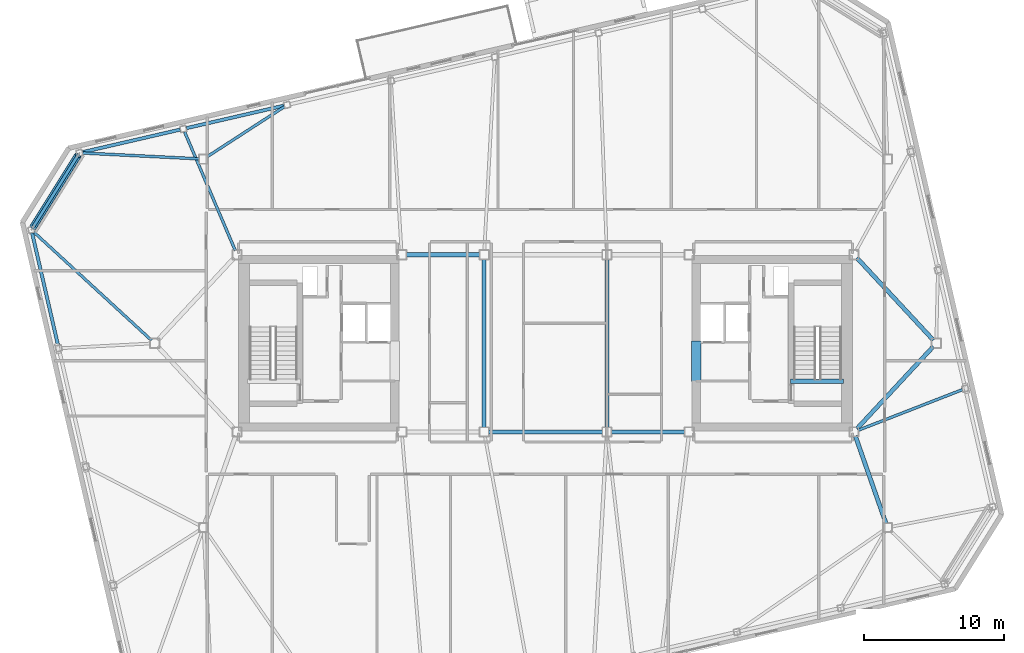
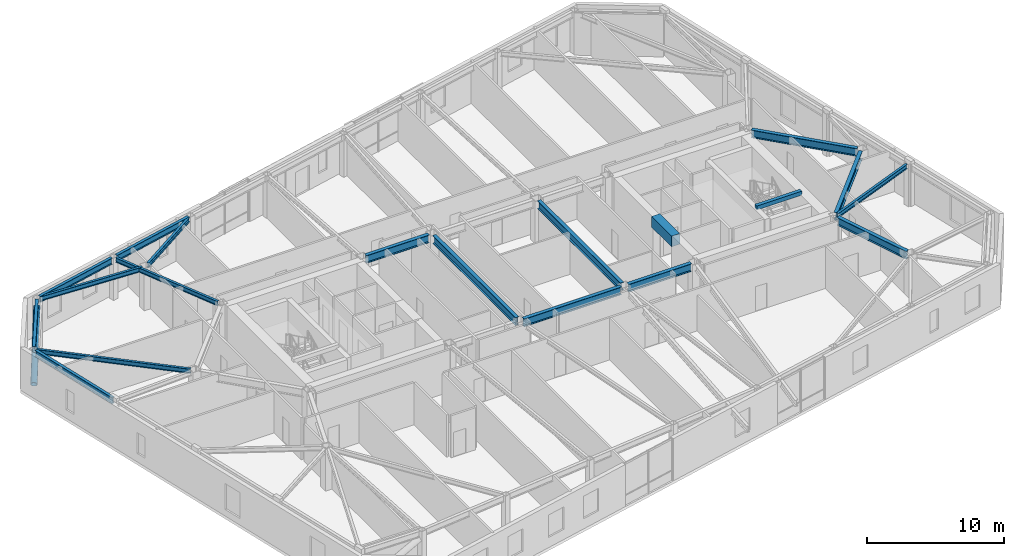
# One storey, part 11 of 24: 19 beams, 1 member.
"""IFC4 building model written with IfcOpenShell, lengths in metres."""

from ifc_helpers import new_model, si_unit, direction, frame, origin, origin_2d, place, context, subcontext, project, spatial, rectangle, hollow_circle, i_section, extrude, material, material_profile, profile_set, type_object, element, save


model = new_model("IFC4")

# Units and contexts
model_context = context("Model", 3, precision=1e-05, world=origin(), true_north=direction((0.0, 1.0)))
body_context = subcontext(model_context, "Body", "Model", "MODEL_VIEW")
ifc_project = project(units=[si_unit("LENGTHUNIT", "METRE"), si_unit("AREAUNIT", "SQUARE_METRE"), si_unit("VOLUMEUNIT", "CUBIC_METRE"), si_unit("PLANEANGLEUNIT", "RADIAN"), si_unit("MASSUNIT", "GRAM", prefix="KILO")], contexts=[model_context])

# Site, building, storey
site_placement = place(None, origin())
site = spatial("IfcSite", under=ifc_project, at=site_placement, CompositionType="ELEMENT")
building_placement = place(site_placement, origin())
building = spatial("IfcBuilding", under=site, at=building_placement, Name="Tavrogorsk Clinical Tower", CompositionType="ELEMENT")
storey_placement = place(building_placement, frame((0.0, 0.0, 321.0)))
storey = spatial("IfcBuildingStorey", under=building, at=storey_placement, Name="L75", CompositionType="ELEMENT", Elevation=321.0)

# Beam
ifc_material_1 = material(Name="Concrete B80", Category="concrete")
ifc_material_profile_1 = material_profile(ifc_material_1, rectangle(XDim=0.699951171875, YDim=0.949951171875, at=origin_2d()), Name="RC-CB-700x950")
ifc_profile_set_1 = profile_set([ifc_material_profile_1], Name="Concrete B80")
beam_type_1 = type_object("IfcBeamType", Name="CouplingBeam_RC700x950", PredefinedType="LINTEL", material=ifc_profile_set_1)
beam_1_placement = place(storey_placement, frame((10.800048828125, -2.75, 3.264892578125), z_axis=(0.0, 1.0, 0.0), x_axis=(-1.0, 0.0, 0.0)))
element("IfcBeam", 1, at=beam_1_placement, inside=storey, type_object=beam_type_1, Name="L75 Core East Coupling Beam", PredefinedType="LINTEL", context=body_context, shape_type="SweptSolid", body=[
    extrude(rectangle(XDim=0.699951171875, YDim=0.949951171875, at=origin_2d()), origin(), (0.0, 0.0, 1.0), 2.89990234375),
])

# Member
ifc_material_2 = material(Name="Structural steel S440", Category="steel")
ifc_material_profile_2 = material_profile(ifc_material_2, hollow_circle(Radius=0.25390625, WallThickness=0.02001953125, at=origin_2d()), Name="CHS-508x20")
ifc_profile_set_2 = profile_set([ifc_material_profile_2], Name="Structural steel S440")
member_type = type_object("IfcMemberType", Name="ExoBrace_CHS508", PredefinedType="BRACE", material=ifc_profile_set_2)
member_placement = place(storey_placement, frame((-36.72265625, 8.30908203125, 0.393310546875), z_axis=(0.485643868835, 0.777221605895, 0.400095748531), x_axis=(-0.848056967697, 0.529905066536, 0.0)))
element("IfcMember", 2, at=member_placement, inside=storey, type_object=member_type, Name="L75 Corner Exoskeleton Brace N8-W1", PredefinedType="BRACE", context=body_context, shape_type="SweptSolid", body=[
    extrude(hollow_circle(Radius=0.25390625, WallThickness=0.02001953125, at=origin_2d()), origin(), (0.0, 0.0, 1.0), 6.63232421875),
])

# Beams
ifc_material_3 = material(Name="Structural steel S355", Category="steel")
ifc_material_profile_3 = material_profile(ifc_material_3, i_section(OverallWidth=0.199951171875, OverallDepth=0.39990234375, WebThickness=0.010498046875, FlangeThickness=0.01611328125, at=origin_2d()), Name="B-400x200x10.5x16")
ifc_profile_set_3 = profile_set([ifc_material_profile_3], Name="Structural steel S355")
beam_type_2 = type_object("IfcBeamType", Name="FloorBeam_B400", PredefinedType="BEAM", material=ifc_profile_set_3)
beam_2_placement = place(storey_placement, frame((-24.23974609375, 13.36865234375, 3.5400390625), z_axis=(0.839287867478, 0.543687295699, 0.0), x_axis=(-0.543687295699, 0.839287867478, 0.0)))
element("IfcBeam", 3, at=beam_2_placement, inside=storey, type_object=beam_type_2, Name="L75 Radial Floor Beam N6", PredefinedType="BEAM", context=body_context, shape_type="SweptSolid", body=[
    extrude(i_section(OverallWidth=0.199951171875, OverallDepth=0.39990234375, WebThickness=0.010498046875, FlangeThickness=0.01611328125, at=origin_2d()), origin(), (0.0, 0.0, 1.0), 6.592529296875),
])
beam_3_placement = place(storey_placement, frame((-22.2216796875, 6.635009765625, 3.5400390625), z_axis=(-0.392852744382, 0.919601392578, 0.0), x_axis=(-0.919601392578, -0.392852744382, 0.0)))
element("IfcBeam", 4, at=beam_3_placement, inside=storey, type_object=beam_type_2, Name="L75 Radial Floor Beam N7", PredefinedType="BEAM", context=body_context, shape_type="SweptSolid", body=[
    extrude(i_section(OverallWidth=0.199951171875, OverallDepth=0.39990234375, WebThickness=0.010498046875, FlangeThickness=0.01611328125, at=origin_2d()), origin(), (0.0, 0.0, 1.0), 9.25732421875),
])
beam_4_placement = place(storey_placement, frame((-24.8095703125, 13.215576171875, 3.5400390625), z_axis=(-0.998749933549, 0.049985700304, 0.0), x_axis=(-0.049985700304, -0.998749933549, 0.0)))
element("IfcBeam", 5, at=beam_4_placement, inside=storey, type_object=beam_type_2, Name="L75 Radial Floor Beam N8", PredefinedType="BEAM", context=body_context, shape_type="SweptSolid", body=[
    extrude(i_section(OverallWidth=0.199951171875, OverallDepth=0.39990234375, WebThickness=0.010498046875, FlangeThickness=0.01611328125, at=origin_2d()), origin(), (0.0, 0.0, 1.0), 8.35693359375),
])
beam_5_placement = place(storey_placement, frame((22.388916015625, -6.237548828125, 3.5400390625), z_axis=(0.931736989786, 0.363133834647, 0.0), x_axis=(-0.363133834647, 0.931736989786, 0.0)))
element("IfcBeam", 6, at=beam_5_placement, inside=storey, type_object=beam_type_2, Name="L75 Radial Floor Beam E2", PredefinedType="BEAM", context=body_context, shape_type="SweptSolid", body=[
    extrude(i_section(OverallWidth=0.199951171875, OverallDepth=0.39990234375, WebThickness=0.010498046875, FlangeThickness=0.01611328125, at=origin_2d()), origin(), (0.0, 0.0, 1.0), 8.01806640625),
])
beam_6_placement = place(storey_placement, frame((-28.228271484375, 0.2099609375, 3.5400390625), z_axis=(-0.735959452605, 0.677025615557, 0.0), x_axis=(-0.677025615557, -0.735959452605, 0.0)))
element("IfcBeam", 7, at=beam_6_placement, inside=storey, type_object=beam_type_2, Name="L75 Radial Floor Beam W1", PredefinedType="BEAM", context=body_context, shape_type="SweptSolid", body=[
    extrude(i_section(OverallWidth=0.199951171875, OverallDepth=0.39990234375, WebThickness=0.010498046875, FlangeThickness=0.01611328125, at=origin_2d()), origin(), (0.0, 0.0, 1.0), 11.462646484375),
])
ifc_material_4 = material(Name="Structural steel S390", Category="steel")
ifc_material_profile_4 = material_profile(ifc_material_4, i_section(OverallWidth=0.300048828125, OverallDepth=0.699951171875, WebThickness=0.01708984375, FlangeThickness=0.028076171875, at=origin_2d()), Name="B-700x300x17x28")
ifc_profile_set_4 = profile_set([ifc_material_profile_4], Name="Structural steel S390")
beam_type_3 = type_object("IfcBeamType", Name="PrimaryGirder_B700", PredefinedType="USERDEFINED", material=ifc_profile_set_4)
beam_7_placement = place(storey_placement, frame((-9.989990234375, 6.35009765625, 3.389892578125), z_axis=(1.0, 0.0, 0.0), x_axis=(0.0, 1.0, 0.0)))
element("IfcBeam", 8, at=beam_7_placement, inside=storey, type_object=beam_type_3, Name="L75 Primary Spine Girder MG-02", ObjectType="GIRDER", PredefinedType="USERDEFINED", context=body_context, shape_type="SweptSolid", body=[
    extrude(i_section(OverallWidth=0.300048828125, OverallDepth=0.699951171875, WebThickness=0.01708984375, FlangeThickness=0.028076171875, at=origin_2d()), origin(), (0.0, 0.0, 1.0), 5.280029296875),
])
beam_8_placement = place(storey_placement, frame((-4.090087890625, -6.35009765625, 3.389892578125), z_axis=(1.0, 0.0, 0.0), x_axis=(0.0, 1.0, 0.0)))
element("IfcBeam", 9, at=beam_8_placement, inside=storey, type_object=beam_type_3, Name="L75 Primary Spine Girder MG-03", ObjectType="GIRDER", PredefinedType="USERDEFINED", context=body_context, shape_type="SweptSolid", body=[
    extrude(i_section(OverallWidth=0.300048828125, OverallDepth=0.699951171875, WebThickness=0.01708984375, FlangeThickness=0.028076171875, at=origin_2d()), origin(), (0.0, 0.0, 1.0), 8.18017578125),
])
beam_9_placement = place(storey_placement, frame((4.7099609375, -6.35009765625, 3.389892578125), z_axis=(1.0, 0.0, 0.0), x_axis=(0.0, 1.0, 0.0)))
element("IfcBeam", 10, at=beam_9_placement, inside=storey, type_object=beam_type_3, Name="L75 Primary Spine Girder MG-05", ObjectType="GIRDER", PredefinedType="USERDEFINED", context=body_context, shape_type="SweptSolid", body=[
    extrude(i_section(OverallWidth=0.300048828125, OverallDepth=0.699951171875, WebThickness=0.01708984375, FlangeThickness=0.028076171875, at=origin_2d()), origin(), (0.0, 0.0, 1.0), 5.280029296875),
])
for number, where, z_axis, x_axis, name in (
    (11, (-4.39990234375, -6.0400390625, 3.389892578125), (0.0, 1.0, 0.0), (-1.0, 0.0, 0.0), "L75 Primary Spine Girder MG-07"),
    (12, (4.39990234375, -6.0400390625, 3.389892578125), (0.0, 1.0, 0.0), (-1.0, 0.0, 0.0), "L75 Primary Spine Girder MG-08"),
):
    element("IfcBeam", number, at=place(storey_placement, frame(where, z_axis=z_axis, x_axis=x_axis)), inside=storey, type_object=beam_type_3, Name=name, ObjectType="GIRDER", PredefinedType="USERDEFINED", context=body_context, shape_type="SweptSolid", body=[
        extrude(i_section(OverallWidth=0.300048828125, OverallDepth=0.699951171875, WebThickness=0.01708984375, FlangeThickness=0.028076171875, at=origin_2d()), origin(), (0.0, 0.0, 1.0), 12.080078125),
    ])
beam_10_placement = place(storey_placement, frame((24.3974609375, -12.907470703125, 3.389892578125), z_axis=(-0.330666578092, 0.943747643246, 0.0), x_axis=(-0.943747643246, -0.330666578092, 0.0)))
element("IfcBeam", 13, at=beam_10_placement, inside=storey, type_object=beam_type_3, Name="L75 Spine Link Girder OPG-2", ObjectType="GIRDER", PredefinedType="USERDEFINED", context=body_context, shape_type="SweptSolid", body=[
    extrude(i_section(OverallWidth=0.300048828125, OverallDepth=0.699951171875, WebThickness=0.01708984375, FlangeThickness=0.028076171875, at=origin_2d()), origin(), (0.0, 0.0, 1.0), 6.638427734375),
])
for number, where, z_axis, x_axis, name in (
    (14, (27.7890625, -0.22705078125, 3.389892578125), (-0.680677963005, -0.732582767119, 0.0), (0.732582767119, -0.680677963005, 0.0), "L75 Spine Link Girder OPG-7"),
    (15, (27.7890625, 0.22705078125, 3.389892578125), (-0.680677963005, 0.732582767119, 0.0), (-0.732582767119, -0.680677963005, 0.0), "L75 Spine Link Girder OPG-8"),
):
    element("IfcBeam", number, at=place(storey_placement, frame(where, z_axis=z_axis, x_axis=x_axis)), inside=storey, type_object=beam_type_3, Name=name, ObjectType="GIRDER", PredefinedType="USERDEFINED", context=body_context, shape_type="SweptSolid", body=[
        extrude(i_section(OverallWidth=0.300048828125, OverallDepth=0.699951171875, WebThickness=0.01708984375, FlangeThickness=0.028076171875, at=origin_2d()), origin(), (0.0, 0.0, 1.0), 8.0478515625),
    ])
ifc_material_5 = material(Name="Structural steel S390", Category="steel")
ifc_material_profile_5 = material_profile(ifc_material_5, i_section(OverallWidth=0.239990234375, OverallDepth=0.550048828125, WebThickness=0.013916015625, FlangeThickness=0.02197265625, at=origin_2d()), Name="B-550x240x14x22")
ifc_profile_set_5 = profile_set([ifc_material_profile_5], Name="Structural steel S390")
beam_type_4 = type_object("IfcBeamType", Name="SpandrelBeam_B550", PredefinedType="SPANDREL", material=ifc_profile_set_5)
beam_11_placement = place(storey_placement, frame((-18.73828125, 17.027099609375, 3.465087890625), z_axis=(-0.97437684326, -0.224921691527, 0.0), x_axis=(0.224921691527, -0.97437684326, 0.0)))
element("IfcBeam", 16, at=beam_11_placement, inside=storey, type_object=beam_type_4, Name="L75 Perimeter Spandrel N6-N7", PredefinedType="SPANDREL", context=body_context, shape_type="SweptSolid", body=[
    extrude(i_section(OverallWidth=0.239990234375, OverallDepth=0.550048828125, WebThickness=0.013916015625, FlangeThickness=0.02197265625, at=origin_2d()), origin(), (0.0, 0.0, 1.0), 7.168212890625),
])
beam_12_placement = place(storey_placement, frame((-26.177001953125, 15.309814453125, 3.465087890625), z_axis=(-0.974369378592, -0.224954026551, 0.0), x_axis=(0.224954026551, -0.974369378592, 0.0)))
element("IfcBeam", 17, at=beam_12_placement, inside=storey, type_object=beam_type_4, Name="L75 Perimeter Spandrel N7-N8", PredefinedType="SPANDREL", context=body_context, shape_type="SweptSolid", body=[
    extrude(i_section(OverallWidth=0.239990234375, OverallDepth=0.550048828125, WebThickness=0.013916015625, FlangeThickness=0.02197265625, at=origin_2d()), origin(), (0.0, 0.0, 1.0), 7.16845703125),
])
beam_13_placement = place(storey_placement, frame((-33.511962890625, 13.447265625, 3.465087890625), z_axis=(-0.529933531413, -0.848039180866, 0.0), x_axis=(0.848039180866, -0.529933531413, 0.0)))
element("IfcBeam", 18, at=beam_13_placement, inside=storey, type_object=beam_type_4, Name="L75 Perimeter Spandrel N8-W1", PredefinedType="SPANDREL", context=body_context, shape_type="SweptSolid", body=[
    extrude(i_section(OverallWidth=0.239990234375, OverallDepth=0.550048828125, WebThickness=0.013916015625, FlangeThickness=0.02197265625, at=origin_2d()), origin(), (0.0, 0.0, 1.0), 6.039306640625),
])
beam_14_placement = place(storey_placement, frame((-36.783447265625, 7.901123046875, 3.465087890625), z_axis=(0.224950345141, -0.974370228517, 0.0), x_axis=(0.974370228517, 0.224950345141, 0.0)))
element("IfcBeam", 19, at=beam_14_placement, inside=storey, type_object=beam_type_4, Name="L75 Perimeter Spandrel W1-W2", PredefinedType="SPANDREL", context=body_context, shape_type="SweptSolid", body=[
    extrude(i_section(OverallWidth=0.239990234375, OverallDepth=0.550048828125, WebThickness=0.013916015625, FlangeThickness=0.02197265625, at=origin_2d()), origin(), (0.0, 0.0, 1.0), 8.243896484375),
])
ifc_material_6 = material(Name="Concrete B60", Category="concrete")
ifc_material_profile_6 = material_profile(ifc_material_6, rectangle(XDim=0.300048828125, YDim=0.35009765625, at=origin_2d()), Name="RC-SHB-300x350")
ifc_profile_set_6 = profile_set([ifc_material_profile_6], Name="Concrete B60")
beam_type_5 = type_object("IfcBeamType", Name="StairHeaderBeam_RC300x350", PredefinedType="BEAM", material=ifc_profile_set_6)
beam_15_placement = place(storey_placement, frame((17.550048828125, -2.719970703125, 3.824951171875), z_axis=(1.0, 0.0, 0.0), x_axis=(0.0, 1.0, 0.0)))
element("IfcBeam", 20, at=beam_15_placement, inside=storey, type_object=beam_type_5, Name="L76 ST-E Landing Header Beam", PredefinedType="BEAM", context=body_context, shape_type="SweptSolid", body=[
    extrude(rectangle(XDim=0.300048828125, YDim=0.35009765625, at=origin_2d()), origin(), (0.0, 0.0, 1.0), 3.800048828125),
])

save(model, "model.ifc")
